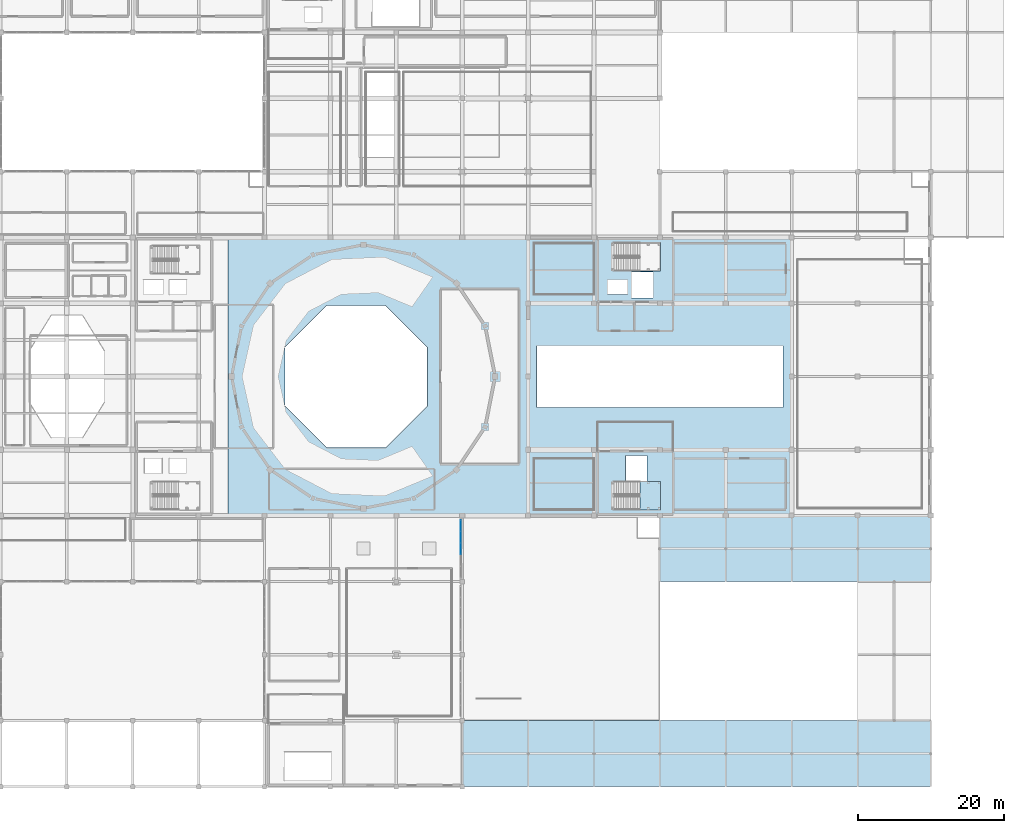
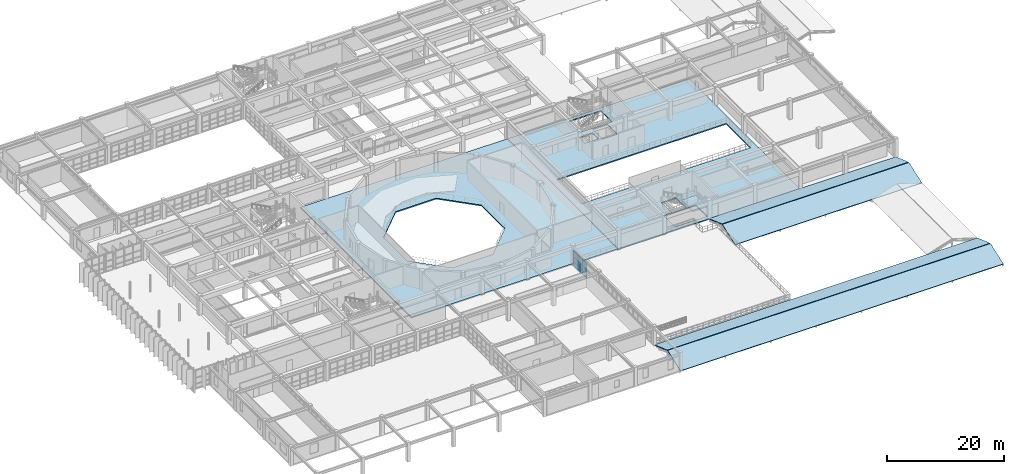
# One storey, part 83 of 110: 9 plates, 7 slabs, 2 elements without a shape of their own.
"""IFC4 building model written with IfcOpenShell, lengths in metres."""

import ifcopenshell
import ifcopenshell.guid

model = None  # the IFC model being written
_history = None  # IfcOwnerHistory: only IFC2X3 demands one
_inside = {}  # id of a spatial element -> (the spatial element, [elements in it])
_under = {}  # id of a project, library or spatial element -> (it, [spatial elements below it])
_declared = {}  # id of a project -> (the project, [libraries it declares])
_typed = {}  # id of a type object -> (the type object, [elements of that type])
_made_of = {}  # id of a material, layer set ... -> (it, [elements and type objects made of it])


def new_model(schema):
    """Start an empty IFC model of exactly this schema.

    Asked for "IFC4X3", IfcOpenShell would pick the latest addendum, in which some entities
    have other attributes; the version numbers below select the first issue.
    IFC2X3 requires an IfcOwnerHistory on every rooted entity: one is made here for all.
    """
    global model, _history
    if schema == "IFC4X3":
        model = ifcopenshell.file(schema_version=(4, 3, 0, 0))
    else:
        model = ifcopenshell.file(schema=schema)
    _inside.clear()
    _under.clear()
    _declared.clear()
    _typed.clear()
    _made_of.clear()
    _history = None
    if model.schema == "IFC2X3":
        org = make("IfcOrganization", Name="unknown")
        user = make(
            "IfcPersonAndOrganization",
            ThePerson=make("IfcPerson", FamilyName="unknown"),
            TheOrganization=org,
        )
        app = make(
            "IfcApplication",
            ApplicationDeveloper=org,
            Version="unknown",
            ApplicationFullName="unknown",
            ApplicationIdentifier="unknown",
        )
        _history = make(
            "IfcOwnerHistory",
            OwningUser=user,
            OwningApplication=app,
            ChangeAction="ADDED",
            CreationDate=0,
        )
    return model


def make(cls, **values):
    """One entity of the class cls with the attributes given. An attribute that is None is left unset."""
    return model.create_entity(
        cls, **{name: value for name, value in values.items() if value is not None}
    )


def rooted(cls, **values):
    """An entity with a GlobalId (a new one), such as an element, a storey or a relation."""
    return make(cls, GlobalId=ifcopenshell.guid.new(), OwnerHistory=_history, **values)


def si_unit(unit_type, name, prefix=None):
    """IfcSIUnit, for example si_unit("LENGTHUNIT", "METRE", prefix="MILLI")."""
    return make("IfcSIUnit", UnitType=unit_type, Prefix=prefix, Name=name)


def assignment(units):
    """IfcUnitAssignment: the units of a project."""
    return None if units is None else make("IfcUnitAssignment", Units=units)


def point(xyz):
    """IfcCartesianPoint."""
    return None if xyz is None else make("IfcCartesianPoint", Coordinates=xyz)


def direction(xyz):
    """IfcDirection."""
    return None if xyz is None else make("IfcDirection", DirectionRatios=xyz)


def frame(location, z_axis=None, x_axis=None):
    """IfcAxis2Placement3D, a coordinate frame: its origin and axes. An axis left out is left unset."""
    return make(
        "IfcAxis2Placement3D",
        Location=point(location),
        Axis=direction(z_axis),
        RefDirection=direction(x_axis),
    )


def frame_2d(location, x_axis=None):
    """IfcAxis2Placement2D, a coordinate frame in the plane: its origin and x axis."""
    return make(
        "IfcAxis2Placement2D", Location=point(location), RefDirection=direction(x_axis)
    )


def origin():
    """The frame at (0, 0, 0) with its axes left unset."""
    return frame((0.0, 0.0, 0.0))


def origin_2d():
    """The frame at (0, 0) in the plane with its x axis left unset."""
    return frame_2d((0.0, 0.0))


def place(relative_to, where):
    """IfcLocalPlacement: puts the frame where relative to a parent placement (None: the world)."""
    return make(
        "IfcLocalPlacement", PlacementRelTo=relative_to, RelativePlacement=where
    )


def context(
    kind, dimensions, precision=None, world=None, true_north=None, identifier=None
):
    """IfcGeometricRepresentationContext, for example the 3D "Model" context."""
    return make(
        "IfcGeometricRepresentationContext",
        ContextIdentifier=identifier,
        ContextType=kind,
        CoordinateSpaceDimension=dimensions,
        Precision=precision,
        WorldCoordinateSystem=world,
        TrueNorth=true_north,
    )


def subcontext(parent, identifier, kind, view, scale=None):
    """IfcGeometricRepresentationSubContext, for example "Body" below "Model"."""
    return make(
        "IfcGeometricRepresentationSubContext",
        ContextIdentifier=identifier,
        ContextType=kind,
        ParentContext=parent,
        TargetScale=scale,
        TargetView=view,
    )


def project(units=None, contexts=None):
    """IfcProject with its units and contexts."""
    return rooted(
        "IfcProject",
        Name="project",
        RepresentationContexts=contexts,
        UnitsInContext=assignment(units),
    )


def spatial(cls, under=None, at=None, **own):
    """A site, building, storey or space (cls), placed at a placement, below another one or the project."""
    s = rooted(cls, ObjectPlacement=at, **own)
    if under is not None:
        _under.setdefault(under.id(), (under, []))[1].append(s)
    return s


def polyline(points):
    """IfcPolyline through the points."""
    return make("IfcPolyline", Points=[point(p) for p in points])


def profile(cls, at=None, kind="AREA", **sizes):
    """A parametric profile (cls). Its sizes go by their IFC names, for example OverallWidth=200.0."""
    return make(cls, ProfileType=kind, Position=at, **sizes)


def rectangle(**sizes):
    """IfcRectangleProfileDef."""
    return profile("IfcRectangleProfileDef", **sizes)


def outline(outer, holes=None, kind="AREA"):
    """IfcArbitraryClosedProfileDef: a profile drawn as a closed curve; with holes, ...WithVoids."""
    if holes is None:
        return make("IfcArbitraryClosedProfileDef", ProfileType=kind, OuterCurve=outer)
    return make(
        "IfcArbitraryProfileDefWithVoids",
        ProfileType=kind,
        OuterCurve=outer,
        InnerCurves=holes,
    )


def extrude(swept, where, along, depth):
    """IfcExtrudedAreaSolid: the profile swept, set in the frame where, extruded along a direction by depth."""
    return make(
        "IfcExtrudedAreaSolid",
        SweptArea=swept,
        Position=where,
        ExtrudedDirection=direction(along),
        Depth=depth,
    )


def shape(context_of_items, identifier, shape_type, items):
    """IfcShapeRepresentation: the items that make up one representation, for example the "Body"."""
    return make(
        "IfcShapeRepresentation",
        ContextOfItems=context_of_items,
        RepresentationIdentifier=identifier,
        RepresentationType=shape_type,
        Items=items,
    )


def material(Name=None, Category=None):
    """IfcMaterial."""
    return make("IfcMaterial", Name=Name, Category=Category)


def layer(
    of_material, thickness, ventilated=None, Name=None, Category=None, Priority=None
):
    """IfcMaterialLayer: one layer of a wall or slab, of a material (None: an air gap)."""
    return make(
        "IfcMaterialLayer",
        Material=of_material,
        LayerThickness=thickness,
        IsVentilated=ventilated,
        Name=Name,
        Category=Category,
        Priority=Priority,
    )


def layer_set(layers, Name=None):
    """IfcMaterialLayerSet."""
    return make("IfcMaterialLayerSet", MaterialLayers=layers, LayerSetName=Name)


def made_of(thing, what):
    """Note that an element or type object is made of a material, layer set ...; save() writes the relation."""
    if what is not None:
        _made_of.setdefault(what.id(), (what, []))[1].append(thing)
    return thing


def type_object(cls, material=None, **own):
    """A type object (cls), such as IfcWallType, which elements share."""
    return made_of(rooted(cls, **own), material)


def element(
    cls,
    number,
    at=None,
    inside=None,
    cuts=None,
    type_object=None,
    material=None,
    context=None,
    identifier="Body",
    shape_type=None,
    held_by="IfcProductDefinitionShape",
    body=None,
    shapes=None,
    **own,
):
    """One element of the class cls, such as IfcWall. Its Tag is "e" and its number.

    at: its placement. inside: the storey or other place that contains it. cuts: it is an
    opening in that element (IfcRelVoidsElement). A single representation is given by context,
    identifier, shape_type and body (its items); several are given by shapes. held_by: the class
    of the entity that holds the representations. save() writes the other relations.
    """
    e = rooted(cls, Tag="e%d" % number, ObjectPlacement=at, **own)
    if body is not None:
        shapes = [shape(context, identifier, shape_type, body)]
    if shapes is not None:
        e.Representation = make(held_by, Representations=shapes)
    if inside is not None:
        _inside.setdefault(inside.id(), (inside, []))[1].append(e)
    if cuts is not None:
        rooted(
            "IfcRelVoidsElement", RelatingBuildingElement=cuts, RelatedOpeningElement=e
        )
    if type_object is not None:
        _typed.setdefault(type_object.id(), (type_object, []))[1].append(e)
    return made_of(e, material)


def aggregate(whole, parts):
    """IfcRelAggregates: a whole, such as a stair, and the parts it consists of."""
    return rooted("IfcRelAggregates", RelatingObject=whole, RelatedObjects=parts)


def save(model, path):
    """Write the relations noted so far, then the file.

    IfcRelAggregates (storeys below a building ...), IfcRelContainedInSpatialStructure (elements
    in a storey), IfcRelDefinesByType, IfcRelAssociatesMaterial and IfcRelDeclares: one each for
    every whole, place, type object, material and project.
    """
    for whole, parts in _under.values():
        aggregate(whole, parts)
    for where, things in _inside.values():
        rooted(
            "IfcRelContainedInSpatialStructure",
            RelatedElements=things,
            RelatingStructure=where,
        )
    for kind, things in _typed.values():
        rooted("IfcRelDefinesByType", RelatedObjects=things, RelatingType=kind)
    for what, things in _made_of.values():
        rooted("IfcRelAssociatesMaterial", RelatedObjects=things, RelatingMaterial=what)
    for by, libraries in _declared.values():
        rooted("IfcRelDeclares", RelatingContext=by, RelatedDefinitions=libraries)
    model.write(path)


model = new_model("IFC4")

# Units and contexts
model_context = context("Model", 3, precision=1e-05, world=origin(), true_north=direction((0.0, 1.0)))
body_context = subcontext(model_context, "Body", "Model", "MODEL_VIEW")
ifc_project = project(units=[si_unit("LENGTHUNIT", "METRE"), si_unit("AREAUNIT", "SQUARE_METRE"), si_unit("VOLUMEUNIT", "CUBIC_METRE"), si_unit("PLANEANGLEUNIT", "RADIAN"), si_unit("MASSUNIT", "GRAM", prefix="KILO")], contexts=[model_context])

# Site, building, storey
site_placement = place(None, origin())
site = spatial("IfcSite", under=ifc_project, at=site_placement, CompositionType="ELEMENT")
building_placement = place(site_placement, origin())
building = spatial("IfcBuilding", under=site, at=building_placement, Name="Miravela Opera House", CompositionType="ELEMENT")
storey_placement = place(building_placement, frame((0.0, 0.0, 13.60009765625)))
storey = spatial("IfcBuildingStorey", under=building, at=storey_placement, Name="L03", CompositionType="ELEMENT", Elevation=13.60009765625)

# Curtain wall, plates
ifc_material_1 = material(Name="Anodised architectural bronze aluminium 6063-T6", Category="aluminium")
curtain_wall_type = type_object("IfcCurtainWallType", Name="ARC-CW-08", PredefinedType="NOTDEFINED", material=ifc_material_1)
curtain_wall_placement = place(storey_placement, origin())
curtain_wall = element("IfcCurtainWall", 1, at=curtain_wall_placement, inside=storey, type_object=curtain_wall_type, Name="Courtyard Arcade Curtain Wall CW-L03-203", PredefinedType="NOTDEFINED")
ifc_material_2 = material(Name="Acoustic laminated low-E insulating glass", Category="glass")
ifc_layer_1 = layer(ifc_material_2, 0.028076171875)
ifc_layer_set_1 = layer_set([ifc_layer_1])
plate_type = type_object("IfcPlateType", Name="ARC-CWP-28", PredefinedType="CURTAIN_PANEL", material=ifc_layer_set_1)
plate_1_placement = place(storey_placement, frame((89.800048828125, 32.5, 0.06005859375), z_axis=(0.0, 0.0, 1.0), x_axis=(0.0, 1.0, 0.0)))
plate_1 = element("IfcPlate", 2, at=plate_1_placement, type_object=plate_type, Name="CW-08 panel 3.1", PredefinedType="CURTAIN_PANEL", context=body_context, shape_type="SweptSolid", body=[
    extrude(rectangle(XDim=1.508056640625, YDim=0.028076171875, at=origin_2d()), origin(), (0.0, 0.0, 1.0), 0.860107421875),
])
plate_2_placement = place(storey_placement, frame((89.800048828125, 32.5, 0.97998046875), z_axis=(0.0, 0.0, 1.0), x_axis=(0.0, 1.0, 0.0)))
plate_2 = element("IfcPlate", 3, at=plate_2_placement, type_object=plate_type, Name="CW-08 panel 3.2", PredefinedType="CURTAIN_PANEL", context=body_context, shape_type="SweptSolid", body=[
    extrude(rectangle(XDim=1.508056640625, YDim=0.028076171875, at=origin_2d()), origin(), (0.0, 0.0, 1.0), 0.898193359375),
])
plate_3_placement = place(storey_placement, frame((89.800048828125, 32.5, 1.93798828125), z_axis=(0.0, 0.0, 1.0), x_axis=(0.0, 1.0, 0.0)))
plate_3 = element("IfcPlate", 4, at=plate_3_placement, type_object=plate_type, Name="CW-08 panel 3.3", PredefinedType="CURTAIN_PANEL", context=body_context, shape_type="SweptSolid", body=[
    extrude(rectangle(XDim=1.508056640625, YDim=0.028076171875, at=origin_2d()), origin(), (0.0, 0.0, 1.0), 1.291748046875),
])
plate_4_placement = place(storey_placement, frame((89.800048828125, 34.068115234375, 0.06005859375), z_axis=(0.0, 0.0, 1.0), x_axis=(0.0, 1.0, 0.0)))
plate_4 = element("IfcPlate", 5, at=plate_4_placement, type_object=plate_type, Name="CW-08 panel 4.1", PredefinedType="CURTAIN_PANEL", context=body_context, shape_type="SweptSolid", body=[
    extrude(rectangle(XDim=1.508056640625, YDim=0.028076171875, at=origin_2d()), origin(), (0.0, 0.0, 1.0), 0.860107421875),
])
plate_5_placement = place(storey_placement, frame((89.800048828125, 34.068115234375, 0.97998046875), z_axis=(0.0, 0.0, 1.0), x_axis=(0.0, 1.0, 0.0)))
plate_5 = element("IfcPlate", 6, at=plate_5_placement, type_object=plate_type, Name="CW-08 panel 4.2", PredefinedType="CURTAIN_PANEL", context=body_context, shape_type="SweptSolid", body=[
    extrude(rectangle(XDim=1.508056640625, YDim=0.028076171875, at=origin_2d()), origin(), (0.0, 0.0, 1.0), 0.898193359375),
])
plate_6_placement = place(storey_placement, frame((89.800048828125, 34.068115234375, 1.93798828125), z_axis=(0.0, 0.0, 1.0), x_axis=(0.0, 1.0, 0.0)))
plate_6 = element("IfcPlate", 7, at=plate_6_placement, type_object=plate_type, Name="CW-08 panel 4.3", PredefinedType="CURTAIN_PANEL", context=body_context, shape_type="SweptSolid", body=[
    extrude(rectangle(XDim=1.508056640625, YDim=0.028076171875, at=origin_2d()), origin(), (0.0, 0.0, 1.0), 1.291748046875),
])
plate_7_placement = place(storey_placement, frame((89.800048828125, 35.62109375, 0.06005859375), z_axis=(0.0, 0.0, 1.0), x_axis=(0.0, 1.0, 0.0)))
plate_7 = element("IfcPlate", 8, at=plate_7_placement, type_object=plate_type, Name="CW-08 panel 5.1", PredefinedType="CURTAIN_PANEL", context=body_context, shape_type="SweptSolid", body=[
    extrude(rectangle(XDim=1.47802734375, YDim=0.028076171875, at=origin_2d()), origin(), (0.0, 0.0, 1.0), 0.860107421875),
])
plate_8_placement = place(storey_placement, frame((89.800048828125, 35.62109375, 0.97998046875), z_axis=(0.0, 0.0, 1.0), x_axis=(0.0, 1.0, 0.0)))
plate_8 = element("IfcPlate", 9, at=plate_8_placement, type_object=plate_type, Name="CW-08 panel 5.2", PredefinedType="CURTAIN_PANEL", context=body_context, shape_type="SweptSolid", body=[
    extrude(rectangle(XDim=1.47802734375, YDim=0.028076171875, at=origin_2d()), origin(), (0.0, 0.0, 1.0), 0.898193359375),
])
plate_9_placement = place(storey_placement, frame((89.800048828125, 35.62109375, 1.93798828125), z_axis=(0.0, 0.0, 1.0), x_axis=(0.0, 1.0, 0.0)))
plate_9 = element("IfcPlate", 10, at=plate_9_placement, type_object=plate_type, Name="CW-08 panel 5.3", PredefinedType="CURTAIN_PANEL", context=body_context, shape_type="SweptSolid", body=[
    extrude(rectangle(XDim=1.47802734375, YDim=0.028076171875, at=origin_2d()), origin(), (0.0, 0.0, 1.0), 1.291748046875),
])
aggregate(curtain_wall, [plate_1, plate_2, plate_3, plate_4, plate_5, plate_6, plate_7, plate_8, plate_9])

# Stair, slab
ifc_material_3 = material(Name="Concrete C35/45", Category="concrete")
stair_type = type_object("IfcStairType", Name="ARC-STAIR-CORE-1680", PredefinedType="HALF_TURN_STAIR", material=ifc_material_3)
stair_placement = place(storey_placement, origin())
stair = element("IfcStair", 11, at=stair_placement, inside=storey, type_object=stair_type, Name="L03 Core K4 South Stage Core Exit Stair ST-04", PredefinedType="HALF_TURN_STAIR")
ifc_layer_2 = layer(ifc_material_3, 0.199951171875)
ifc_layer_set_2 = layer_set([ifc_layer_2])
slab_type_1 = type_object("IfcSlabType", Name="ARC-LANDING-200", PredefinedType="LANDING", material=ifc_layer_set_2)
slab_1_placement = place(storey_placement, frame((0.0, 0.0, 1.83984375)))
slab_1 = element("IfcSlab", 12, at=slab_1_placement, type_object=slab_type_1, Name="ST-04 landing 1", PredefinedType="LANDING", context=body_context, shape_type="SweptSolid", body=[
    extrude(outline(polyline([(114.260009765625, 37.800048828125), (117.10009765625, 37.800048828125), (117.10009765625, 41.679931640625), (114.260009765625, 41.679931640625), (114.260009765625, 37.800048828125)])), origin(), (0.0, 0.0, 1.0), 0.199951171875),
])
aggregate(stair, [slab_1])

# Slabs
ifc_layer_3 = layer(ifc_material_3, 0.169921875)
ifc_layer_set_3 = layer_set([ifc_layer_3])
slab_type_2 = type_object("IfcSlabType", Name="STR-ROOF-TILE-170", PredefinedType="ROOF", material=ifc_layer_set_3)
for number, where, z_axis, x_axis, name in (
    (13, (90.0, 0.0, 0.0), (0.0, -0.334982101941, 0.942224490968), (1.0, 0.0, 0.0), "Pitched Clay Barrel-Tile Roof Slab ROOF-V4-SE Slope 1"),
    (14, (154.0, 9.0, 0.0), (0.0, 0.334982101941, 0.942224490968), (-1.0, 0.0, 0.0), "Pitched Clay Barrel-Tile Roof Slab ROOF-V4-SE Slope 2"),
):
    element("IfcSlab", number, at=place(storey_placement, frame(where, z_axis=z_axis, x_axis=x_axis)), inside=storey, type_object=slab_type_2, Name=name, PredefinedType="ROOF", context=body_context, shape_type="SweptSolid", body=[
        extrude(outline(polyline([(0.0, 0.0), (64.0, 0.0), (64.0, 4.717631946511606), (0.0, 4.717631946511606), (0.0, 0.0)])), origin(), (0.0, 0.0, -1.0), 0.169921875),
    ])
for number, where, z_axis, x_axis, name in (
    (15, (117.0, 28.0, 0.0), (0.0, -0.334982101941, 0.942224490968), (1.0, 0.0, 0.0), "Pitched Clay Barrel-Tile Roof Slab ROOF-V4-NE Slope 1"),
    (16, (154.0, 37.0, 0.0), (0.0, 0.334982101941, 0.942224490968), (-1.0, 0.0, 0.0), "Pitched Clay Barrel-Tile Roof Slab ROOF-V4-NE Slope 2"),
):
    element("IfcSlab", number, at=place(storey_placement, frame(where, z_axis=z_axis, x_axis=x_axis)), inside=storey, type_object=slab_type_2, Name=name, PredefinedType="ROOF", context=body_context, shape_type="SweptSolid", body=[
        extrude(outline(polyline([(0.0, 0.0), (37.0, 0.0), (37.0, 4.717631946511606), (0.0, 4.717631946511606), (0.0, 0.0)])), origin(), (0.0, 0.0, -1.0), 0.169921875),
    ])
ifc_layer_4 = layer(ifc_material_3, 0.239990234375)
ifc_layer_set_4 = layer_set([ifc_layer_4])
slab_type_3 = type_object("IfcSlabType", Name="STR-SLAB-FLR-240", PredefinedType="FLOOR", material=ifc_layer_set_4)
slab_2_placement = place(storey_placement, frame((0.0, 0.0, -0.239990234375)))
element("IfcSlab", 17, at=slab_2_placement, inside=storey, type_object=slab_type_3, Name="Level L03 Floor Slab SLAB-L03-V1E", PredefinedType="FLOOR", context=body_context, shape_type="SweptSolid", body=[
    extrude(outline(polyline([(58.0, 37.0), (99.0, 37.0), (99.0, 75.0), (58.0, 75.0), (58.0, 37.0)]), holes=[polyline([(85.20068359375, 60.018310546875), (79.518310546875, 65.70068359375), (71.481689453125, 65.70068359375), (65.79931640625, 60.018310546875), (65.79931640625, 51.981689453125), (71.481689453125, 46.29931640625), (79.518310546875, 46.29931640625), (85.20068359375, 51.981689453125), (85.20068359375, 60.018310546875)])]), origin(), (0.0, 0.0, 1.0), 0.239990234375),
])
slab_3_placement = place(storey_placement, frame((0.0, 0.0, -0.239990234375)))
element("IfcSlab", 18, at=slab_3_placement, inside=storey, type_object=slab_type_3, Name="Level L03 Floor Slab SLAB-L03-V2M", PredefinedType="FLOOR", context=body_context, shape_type="SweptSolid", body=[
    extrude(outline(polyline([(99.0, 37.0), (135.0, 37.0), (135.0, 75.0), (99.0, 75.0), (99.0, 37.0)]), holes=[polyline([(110.739990234375, 70.39990234375), (117.10009765625, 70.39990234375), (117.10009765625, 74.280029296875), (110.739990234375, 74.280029296875), (110.739990234375, 70.39990234375)]), polyline([(110.739990234375, 37.800048828125), (117.10009765625, 37.800048828125), (117.10009765625, 41.679931640625), (110.739990234375, 41.679931640625), (110.739990234375, 37.800048828125)]), polyline([(109.85009765625, 67.22509765625), (112.550048828125, 67.22509765625), (112.550048828125, 69.175048828125), (109.85009765625, 69.175048828125), (109.85009765625, 67.22509765625)]), polyline([(113.14990234375, 66.75), (116.050048828125, 66.75), (116.050048828125, 70.25), (113.14990234375, 70.25), (113.14990234375, 66.75)]), polyline([(112.35009765625, 41.75), (115.25, 41.75), (115.25, 45.25), (112.35009765625, 45.25), (112.35009765625, 41.75)]), polyline([(100.199951171875, 51.800048828125), (133.800048828125, 51.800048828125), (133.800048828125, 60.199951171875), (100.199951171875, 60.199951171875), (100.199951171875, 51.800048828125)])]), origin(), (0.0, 0.0, 1.0), 0.239990234375),
])

save(model, "model.ifc")
